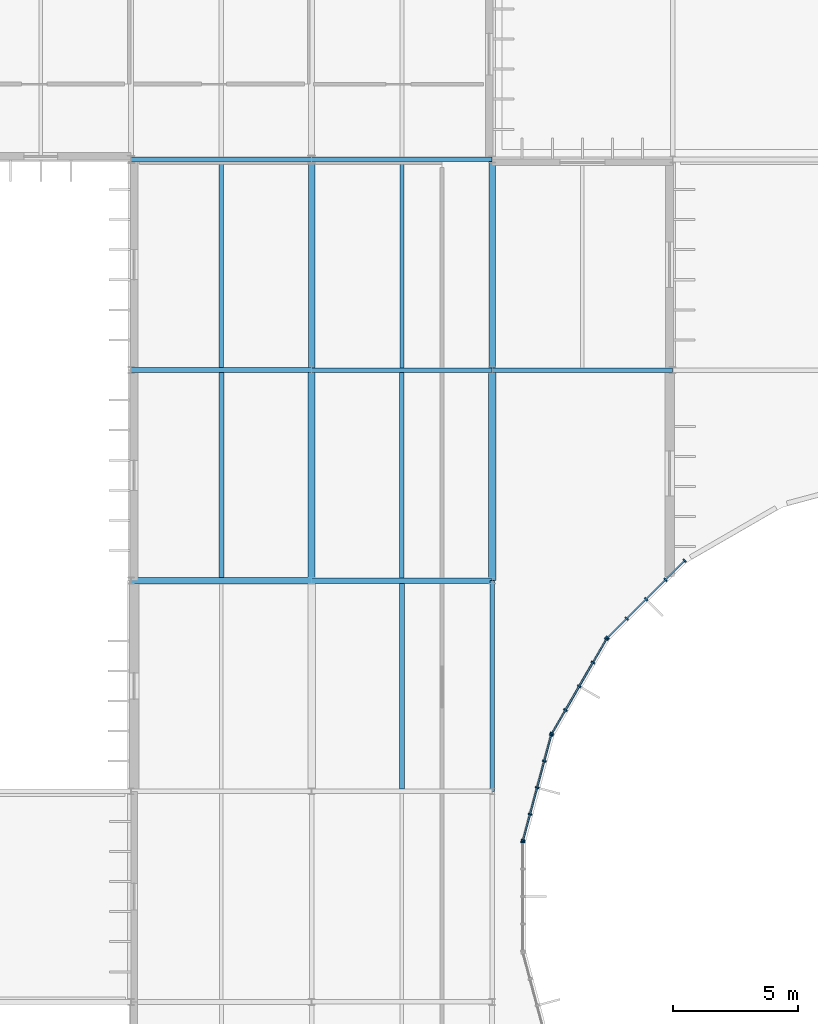
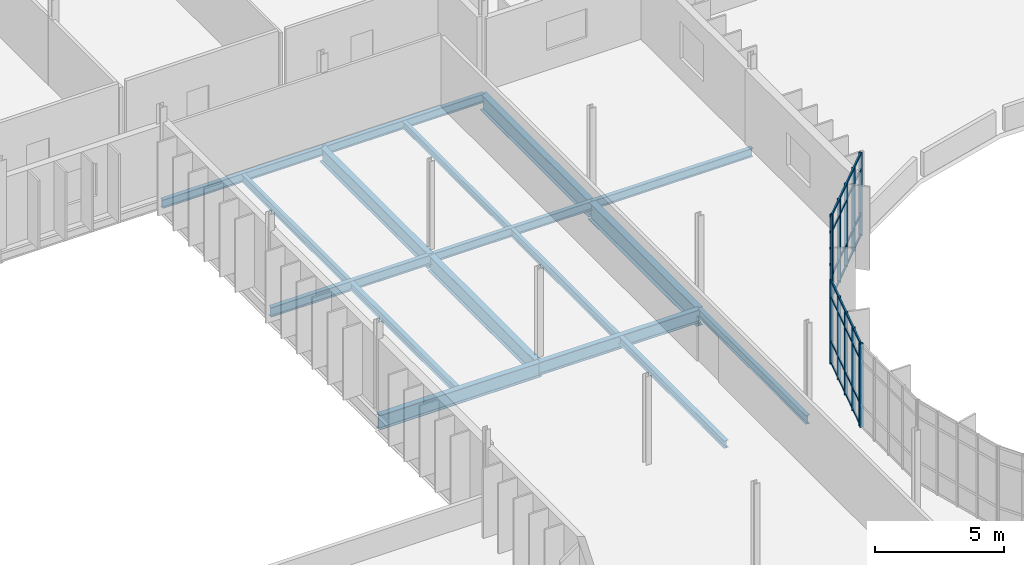
# One storey, part 27 of 61: 28 members, 17 beams, 4 elements without a shape of their own.
"""IFC4 building model written with IfcOpenShell, lengths in metres."""

from ifc_helpers import new_model, si_unit, direction, frame, origin, origin_2d, place, context, subcontext, project, spatial, rectangle, i_section, extrude, material, material_profile, profile_set, type_object, element, aggregate, save


model = new_model("IFC4")

# Units and contexts
model_context = context("Model", 3, precision=1e-05, world=origin(), true_north=direction((0.0, 1.0)))
body_context = subcontext(model_context, "Body", "Model", "MODEL_VIEW")
ifc_project = project(units=[si_unit("LENGTHUNIT", "METRE"), si_unit("AREAUNIT", "SQUARE_METRE"), si_unit("VOLUMEUNIT", "CUBIC_METRE"), si_unit("PLANEANGLEUNIT", "RADIAN"), si_unit("MASSUNIT", "GRAM", prefix="KILO")], contexts=[model_context])

# Site, building, storey
site_placement = place(None, origin())
site = spatial("IfcSite", under=ifc_project, at=site_placement, CompositionType="ELEMENT")
building_placement = place(site_placement, origin())
building = spatial("IfcBuilding", under=site, at=building_placement, Name="Qelthora Terrace Specialist Clinic", CompositionType="ELEMENT")
storey_placement = place(building_placement, frame((0.0, 0.0, 13.199951171875)))
storey = spatial("IfcBuildingStorey", under=building, at=storey_placement, Name="L03", CompositionType="ELEMENT", Elevation=13.199951171875)

# Beams
ifc_material_1 = material(Name="Steel S355", Category="steel")
ifc_material_profile_1 = material_profile(ifc_material_1, i_section(OverallWidth=0.178955078125, OverallDepth=0.409912109375, WebThickness=0.0087890625, FlangeThickness=0.014404296875, FilletRadius=0.011962890625, at=origin_2d()), Name="W410X67")
ifc_profile_set_1 = profile_set([ifc_material_profile_1], Name="Steel S355")
beam_type_1 = type_object("IfcBeamType", Name="BM-W410X67", PredefinedType="BEAM", material=ifc_profile_set_1)
for number, where, z_axis, x_axis, name in (
    (1, (108.0, 84.0, -0.454833984375), (1.0, 0.0, 0.0), (0.0, 1.0, 0.0), "Girder BMX-L03-0976"),
    (2, (93.60009765625, 92.39990234375, -0.454833984375), (1.0, 0.0, 0.0), (0.0, 1.0, 0.0), "Girder BMX-L03-0990"),
):
    element("IfcBeam", number, at=place(storey_placement, frame(where, z_axis=z_axis, x_axis=x_axis)), inside=storey, type_object=beam_type_1, Name=name, PredefinedType="BEAM", context=body_context, shape_type="SweptSolid", body=[
        extrude(i_section(OverallWidth=0.178955078125, OverallDepth=0.409912109375, WebThickness=0.0087890625, FlangeThickness=0.014404296875, FilletRadius=0.011962890625, at=origin_2d()), origin(), (0.0, 0.0, 1.0), 7.199951171875),
    ])
beam_1_placement = place(storey_placement, frame((108.0, 67.199951171875, -0.454833984375), z_axis=(0.0, 1.0, 0.0), x_axis=(-1.0, 0.0, 0.0)))
element("IfcBeam", 3, at=beam_1_placement, inside=storey, type_object=beam_type_1, Name="Girder BMY-L03-1100", PredefinedType="BEAM", context=body_context, shape_type="SweptSolid", body=[
    extrude(i_section(OverallWidth=0.178955078125, OverallDepth=0.409912109375, WebThickness=0.0087890625, FlangeThickness=0.014404296875, FilletRadius=0.011962890625, at=origin_2d()), origin(), (0.0, 0.0, 1.0), 8.400146484375),
])
ifc_material_profile_2 = material_profile(ifc_material_1, i_section(OverallWidth=0.179931640625, OverallDepth=0.4130859375, WebThickness=0.009765625, FlangeThickness=0.01611328125, FilletRadius=0.011962890625, at=origin_2d()), Name="W410X75")
ifc_profile_set_2 = profile_set([ifc_material_profile_2], Name="Steel S355")
beam_type_2 = type_object("IfcBeamType", Name="BM-W410X75", PredefinedType="BEAM", material=ifc_profile_set_2)
for number, where, z_axis, x_axis, name in (
    (4, (100.800048828125, 84.0, -0.45654296875), (1.0, 0.0, 0.0), (0.0, 1.0, 0.0), "Girder BMX-L03-0975"),
    (5, (100.800048828125, 92.39990234375, -0.45654296875), (1.0, 0.0, 0.0), (0.0, 1.0, 0.0), "Girder BMX-L03-0991"),
):
    element("IfcBeam", number, at=place(storey_placement, frame(where, z_axis=z_axis, x_axis=x_axis)), inside=storey, type_object=beam_type_2, Name=name, PredefinedType="BEAM", context=body_context, shape_type="SweptSolid", body=[
        extrude(i_section(OverallWidth=0.179931640625, OverallDepth=0.4130859375, WebThickness=0.009765625, FlangeThickness=0.01611328125, FilletRadius=0.011962890625, at=origin_2d()), origin(), (0.0, 0.0, 1.0), 7.199951171875),
    ])
ifc_material_profile_3 = material_profile(ifc_material_1, i_section(OverallWidth=0.19091796875, OverallDepth=0.4599609375, WebThickness=0.010009765625, FlangeThickness=0.01611328125, FilletRadius=0.012939453125, at=origin_2d()), Name="W460X82")
ifc_profile_set_3 = profile_set([ifc_material_profile_3], Name="Steel S355")
beam_type_3 = type_object("IfcBeamType", Name="BM-W460X82", PredefinedType="BEAM", material=ifc_profile_set_3)
beam_2_placement = place(storey_placement, frame((93.60009765625, 84.0, -0.47998046875), z_axis=(1.0, 0.0, 0.0), x_axis=(0.0, 1.0, 0.0)))
element("IfcBeam", 6, at=beam_2_placement, inside=storey, type_object=beam_type_3, Name="Girder BMX-L03-0974", PredefinedType="BEAM", context=body_context, shape_type="SweptSolid", body=[
    extrude(i_section(OverallWidth=0.19091796875, OverallDepth=0.4599609375, WebThickness=0.010009765625, FlangeThickness=0.01611328125, FilletRadius=0.012939453125, at=origin_2d()), origin(), (0.0, 0.0, 1.0), 7.199951171875),
])
ifc_material_profile_4 = material_profile(ifc_material_1, i_section(OverallWidth=0.22998046875, OverallDepth=0.616943359375, WebThickness=0.01318359375, FlangeThickness=0.022216796875, FilletRadius=0.01611328125, at=origin_2d()), Name="W610X140")
ifc_profile_set_4 = profile_set([ifc_material_profile_4], Name="Steel S355")
beam_type_4 = type_object("IfcBeamType", Name="BM-W610X140", PredefinedType="BEAM", material=ifc_profile_set_4)
beam_3_placement = place(storey_placement, frame((100.800048828125, 75.60009765625, -0.558349609375), z_axis=(1.0, 0.0, 0.0), x_axis=(0.0, 1.0, 0.0)))
element("IfcBeam", 7, at=beam_3_placement, inside=storey, type_object=beam_type_4, Name="Girder BMX-L03-0969", PredefinedType="BEAM", context=body_context, shape_type="SweptSolid", body=[
    extrude(i_section(OverallWidth=0.22998046875, OverallDepth=0.616943359375, WebThickness=0.01318359375, FlangeThickness=0.022216796875, FilletRadius=0.01611328125, at=origin_2d()), origin(), (0.0, 0.0, 1.0), 7.199951171875),
])
ifc_material_profile_5 = material_profile(ifc_material_1, i_section(OverallWidth=0.25390625, OverallDepth=0.68798828125, WebThickness=0.01318359375, FlangeThickness=0.02099609375, FilletRadius=0.01806640625, at=origin_2d()), Name="W690X152")
ifc_profile_set_5 = profile_set([ifc_material_profile_5], Name="Steel S355")
beam_type_5 = type_object("IfcBeamType", Name="BM-W690X152", PredefinedType="BEAM", material=ifc_profile_set_5)
beam_4_placement = place(storey_placement, frame((93.60009765625, 75.60009765625, -0.593994140625), z_axis=(1.0, 0.0, 0.0), x_axis=(0.0, 1.0, 0.0)))
element("IfcBeam", 8, at=beam_4_placement, inside=storey, type_object=beam_type_5, Name="Girder BMX-L03-0968", PredefinedType="BEAM", context=body_context, shape_type="SweptSolid", body=[
    extrude(i_section(OverallWidth=0.25390625, OverallDepth=0.68798828125, WebThickness=0.01318359375, FlangeThickness=0.02099609375, FilletRadius=0.01806640625, at=origin_2d()), origin(), (0.0, 0.0, 1.0), 7.199951171875),
])
ifc_material_profile_6 = material_profile(ifc_material_1, i_section(OverallWidth=0.256103515625, OverallDepth=0.693115234375, WebThickness=0.014404296875, FlangeThickness=0.023681640625, FilletRadius=0.01806640625, at=origin_2d()), Name="W690X170")
ifc_profile_set_6 = profile_set([ifc_material_profile_6], Name="Steel S355")
beam_type_6 = type_object("IfcBeamType", Name="BM-W690X170", PredefinedType="BEAM", material=ifc_profile_set_6)
beam_5_placement = place(storey_placement, frame((100.800048828125, 84.0, -0.596435546875), z_axis=(0.0, 1.0, 0.0), x_axis=(-1.0, 0.0, 0.0)))
element("IfcBeam", 9, at=beam_5_placement, inside=storey, type_object=beam_type_6, Name="Girder BMY-L03-1093", PredefinedType="BEAM", context=body_context, shape_type="SweptSolid", body=[
    extrude(i_section(OverallWidth=0.256103515625, OverallDepth=0.693115234375, WebThickness=0.014404296875, FlangeThickness=0.023681640625, FilletRadius=0.01806640625, at=origin_2d()), origin(), (0.0, 0.0, 1.0), 8.39990234375),
])
ifc_material_profile_7 = material_profile(ifc_material_1, i_section(OverallWidth=0.26806640625, OverallDepth=0.77001953125, WebThickness=0.015625, FlangeThickness=0.025390625, FilletRadius=0.01904296875, at=origin_2d()), Name="W760X196")
ifc_profile_set_7 = profile_set([ifc_material_profile_7], Name="Steel S355")
beam_type_7 = type_object("IfcBeamType", Name="BM-W760X196", PredefinedType="BEAM", material=ifc_profile_set_7)
for number, where, z_axis, x_axis, name in (
    (10, (100.800048828125, 75.60009765625, -0.635009765625), (0.0, 1.0, 0.0), (-1.0, 0.0, 0.0), "Girder BMY-L03-1092"),
    (11, (108.0, 84.0, -0.635009765625), (0.0, 1.0, 0.0), (-1.0, 0.0, 0.0), "Girder BMY-L03-1102"),
):
    element("IfcBeam", number, at=place(storey_placement, frame(where, z_axis=z_axis, x_axis=x_axis)), inside=storey, type_object=beam_type_7, Name=name, PredefinedType="BEAM", context=body_context, shape_type="SweptSolid", body=[
        extrude(i_section(OverallWidth=0.26806640625, OverallDepth=0.77001953125, WebThickness=0.015625, FlangeThickness=0.025390625, FilletRadius=0.01904296875, at=origin_2d()), origin(), (0.0, 0.0, 1.0), 8.39990234375),
    ])
ifc_material_profile_8 = material_profile(ifc_material_1, i_section(OverallWidth=0.2939453125, OverallDepth=0.85107421875, WebThickness=0.01611328125, FlangeThickness=0.02685546875, FilletRadius=0.02001953125, at=origin_2d()), Name="W840X226")
ifc_profile_set_8 = profile_set([ifc_material_profile_8], Name="Steel S355")
beam_type_8 = type_object("IfcBeamType", Name="BM-W840X226", PredefinedType="BEAM", material=ifc_profile_set_8)
beam_6_placement = place(storey_placement, frame((108.0, 75.60009765625, -0.675537109375), z_axis=(0.0, 1.0, 0.0), x_axis=(-1.0, 0.0, 0.0)))
element("IfcBeam", 12, at=beam_6_placement, inside=storey, type_object=beam_type_8, Name="Girder BMY-L03-1101", PredefinedType="BEAM", context=body_context, shape_type="SweptSolid", body=[
    extrude(i_section(OverallWidth=0.2939453125, OverallDepth=0.85107421875, WebThickness=0.01611328125, FlangeThickness=0.02685546875, FilletRadius=0.02001953125, at=origin_2d()), origin(), (0.0, 0.0, 1.0), 8.39990234375),
])

# Curtain wall, members
ifc_material_2 = material(Name="Aluminium anodized bronze", Category="aluminium")
curtain_wall_type = type_object("IfcCurtainWallType", Name="CW-CRTE-UPP", PredefinedType="NOTDEFINED", material=ifc_material_2)
curtain_wall_1_placement = place(storey_placement, origin())
curtain_wall_1 = element("IfcCurtainWall", 13, at=curtain_wall_1_placement, inside=storey, type_object=curtain_wall_type, Name="Curtain wall CW-CE-L03-09", PredefinedType="NOTDEFINED")
ifc_material_profile_9 = material_profile(ifc_material_2, rectangle(XDim=0.06005859375, YDim=0.14990234375, at=origin_2d()), Name="CWM60X150")
ifc_profile_set_9 = profile_set([ifc_material_profile_9], Name="Aluminium anodized bronze")
member_type_1 = type_object("IfcMemberType", Name="CWM-60X150", PredefinedType="MULLION", material=ifc_profile_set_9)
member_1_placement = place(storey_placement, frame((115.673828125, 76.399169921875, 0.0), z_axis=(0.0, 0.0, 1.0), x_axis=(-0.707106781187, -0.707106781187, 0.0)))
member_1 = element("IfcMember", 14, at=member_1_placement, type_object=member_type_1, Name="CW-CE-L03-09 mullion 1", PredefinedType="MULLION", context=body_context, shape_type="SweptSolid", body=[
    extrude(rectangle(XDim=0.06005859375, YDim=0.14990234375, at=origin_2d()), origin(), (0.0, 0.0, 1.0), 3.945068359375),
])
member_2_placement = place(storey_placement, frame((114.91259765625, 75.637939453125, 0.0), z_axis=(0.0, 0.0, 1.0), x_axis=(-0.707106781187, -0.707106781187, 0.0)))
member_2 = element("IfcMember", 15, at=member_2_placement, type_object=member_type_1, Name="CW-CE-L03-09 mullion 2", PredefinedType="MULLION", context=body_context, shape_type="SweptSolid", body=[
    extrude(rectangle(XDim=0.06005859375, YDim=0.14990234375, at=origin_2d()), origin(), (0.0, 0.0, 1.0), 3.945068359375),
])
member_3_placement = place(storey_placement, frame((114.137451171875, 74.862548828125, 0.0), z_axis=(0.0, 0.0, 1.0), x_axis=(-0.707106781187, -0.707106781187, 0.0)))
member_3 = element("IfcMember", 16, at=member_3_placement, type_object=member_type_1, Name="CW-CE-L03-09 mullion 3", PredefinedType="MULLION", context=body_context, shape_type="SweptSolid", body=[
    extrude(rectangle(XDim=0.06005859375, YDim=0.14990234375, at=origin_2d()), origin(), (0.0, 0.0, 1.0), 3.945068359375),
])
member_4_placement = place(storey_placement, frame((113.362060546875, 74.08740234375, 0.0), z_axis=(0.0, 0.0, 1.0), x_axis=(-0.707106781187, -0.707106781187, 0.0)))
member_4 = element("IfcMember", 17, at=member_4_placement, type_object=member_type_1, Name="CW-CE-L03-09 mullion 4", PredefinedType="MULLION", context=body_context, shape_type="SweptSolid", body=[
    extrude(rectangle(XDim=0.06005859375, YDim=0.14990234375, at=origin_2d()), origin(), (0.0, 0.0, 1.0), 3.945068359375),
])
member_5_placement = place(storey_placement, frame((112.600830078125, 73.326171875, 0.0), z_axis=(0.0, 0.0, 1.0), x_axis=(-0.707106781187, -0.707106781187, 0.0)))
member_5 = element("IfcMember", 18, at=member_5_placement, type_object=member_type_1, Name="CW-CE-L03-09 mullion 5", PredefinedType="MULLION", context=body_context, shape_type="SweptSolid", body=[
    extrude(rectangle(XDim=0.06005859375, YDim=0.14990234375, at=origin_2d()), origin(), (0.0, 0.0, 1.0), 3.945068359375),
])

curtain_wall_2_placement = place(storey_placement, origin())
curtain_wall_2 = element("IfcCurtainWall", 19, at=curtain_wall_2_placement, inside=storey, type_object=curtain_wall_type, Name="Curtain wall CW-CE-L03-10", PredefinedType="NOTDEFINED")
member_6_placement = place(storey_placement, frame((112.557861328125, 73.269775390625, 0.0), z_axis=(0.0, 0.0, 1.0), x_axis=(-0.500000028915, -0.86602538709, 0.0)))
member_6 = element("IfcMember", 20, at=member_6_placement, type_object=member_type_1, Name="CW-CE-L03-10 mullion 1", PredefinedType="MULLION", context=body_context, shape_type="SweptSolid", body=[
    extrude(rectangle(XDim=0.06005859375, YDim=0.14990234375, at=origin_2d()), origin(), (0.0, 0.0, 1.0), 3.945068359375),
])
member_7_placement = place(storey_placement, frame((112.01953125, 72.337646484375, 0.0), z_axis=(0.0, 0.0, 1.0), x_axis=(-0.500000028915, -0.86602538709, 0.0)))
member_7 = element("IfcMember", 21, at=member_7_placement, type_object=member_type_1, Name="CW-CE-L03-10 mullion 2", PredefinedType="MULLION", context=body_context, shape_type="SweptSolid", body=[
    extrude(rectangle(XDim=0.06005859375, YDim=0.14990234375, at=origin_2d()), origin(), (0.0, 0.0, 1.0), 3.945068359375),
])
member_8_placement = place(storey_placement, frame((111.471435546875, 71.38818359375, 0.0), z_axis=(0.0, 0.0, 1.0), x_axis=(-0.500000028915, -0.86602538709, 0.0)))
member_8 = element("IfcMember", 22, at=member_8_placement, type_object=member_type_1, Name="CW-CE-L03-10 mullion 3", PredefinedType="MULLION", context=body_context, shape_type="SweptSolid", body=[
    extrude(rectangle(XDim=0.06005859375, YDim=0.14990234375, at=origin_2d()), origin(), (0.0, 0.0, 1.0), 3.945068359375),
])
member_9_placement = place(storey_placement, frame((110.923095703125, 70.438720703125, 0.0), z_axis=(0.0, 0.0, 1.0), x_axis=(-0.500000028915, -0.86602538709, 0.0)))
member_9 = element("IfcMember", 23, at=member_9_placement, type_object=member_type_1, Name="CW-CE-L03-10 mullion 4", PredefinedType="MULLION", context=body_context, shape_type="SweptSolid", body=[
    extrude(rectangle(XDim=0.06005859375, YDim=0.14990234375, at=origin_2d()), origin(), (0.0, 0.0, 1.0), 3.945068359375),
])
member_10_placement = place(storey_placement, frame((110.385009765625, 69.50634765625, 0.0), z_axis=(0.0, 0.0, 1.0), x_axis=(-0.500000028915, -0.86602538709, 0.0)))
member_10 = element("IfcMember", 24, at=member_10_placement, type_object=member_type_1, Name="CW-CE-L03-10 mullion 5", PredefinedType="MULLION", context=body_context, shape_type="SweptSolid", body=[
    extrude(rectangle(XDim=0.06005859375, YDim=0.14990234375, at=origin_2d()), origin(), (0.0, 0.0, 1.0), 3.945068359375),
])

curtain_wall_3_placement = place(storey_placement, origin())
curtain_wall_3 = element("IfcCurtainWall", 25, at=curtain_wall_3_placement, inside=storey, type_object=curtain_wall_type, Name="Curtain wall CW-CE-L03-11", PredefinedType="NOTDEFINED")
member_11_placement = place(storey_placement, frame((110.357666015625, 69.44091796875, 0.0), z_axis=(0.0, 0.0, 1.0), x_axis=(-0.258819664824, -0.965925660235, 0.0)))
member_11 = element("IfcMember", 26, at=member_11_placement, type_object=member_type_1, Name="CW-CE-L03-11 mullion 1", PredefinedType="MULLION", context=body_context, shape_type="SweptSolid", body=[
    extrude(rectangle(XDim=0.06005859375, YDim=0.14990234375, at=origin_2d()), origin(), (0.0, 0.0, 1.0), 3.945068359375),
])
member_12_placement = place(storey_placement, frame((110.0791015625, 68.401123046875, 0.0), z_axis=(0.0, 0.0, 1.0), x_axis=(-0.258819664824, -0.965925660235, 0.0)))
member_12 = element("IfcMember", 27, at=member_12_placement, type_object=member_type_1, Name="CW-CE-L03-11 mullion 2", PredefinedType="MULLION", context=body_context, shape_type="SweptSolid", body=[
    extrude(rectangle(XDim=0.06005859375, YDim=0.14990234375, at=origin_2d()), origin(), (0.0, 0.0, 1.0), 3.945068359375),
])
member_13_placement = place(storey_placement, frame((109.79541015625, 67.342041015625, 0.0), z_axis=(0.0, 0.0, 1.0), x_axis=(-0.258819664824, -0.965925660235, 0.0)))
member_13 = element("IfcMember", 28, at=member_13_placement, type_object=member_type_1, Name="CW-CE-L03-11 mullion 3", PredefinedType="MULLION", context=body_context, shape_type="SweptSolid", body=[
    extrude(rectangle(XDim=0.06005859375, YDim=0.14990234375, at=origin_2d()), origin(), (0.0, 0.0, 1.0), 3.945068359375),
])
member_14_placement = place(storey_placement, frame((109.511474609375, 66.282958984375, 0.0), z_axis=(0.0, 0.0, 1.0), x_axis=(-0.258819664824, -0.965925660235, 0.0)))
member_14 = element("IfcMember", 29, at=member_14_placement, type_object=member_type_1, Name="CW-CE-L03-11 mullion 4", PredefinedType="MULLION", context=body_context, shape_type="SweptSolid", body=[
    extrude(rectangle(XDim=0.06005859375, YDim=0.14990234375, at=origin_2d()), origin(), (0.0, 0.0, 1.0), 3.945068359375),
])
member_15_placement = place(storey_placement, frame((109.23291015625, 65.2431640625, 0.0), z_axis=(0.0, 0.0, 1.0), x_axis=(-0.258819664824, -0.965925660235, 0.0)))
member_15 = element("IfcMember", 30, at=member_15_placement, type_object=member_type_1, Name="CW-CE-L03-11 mullion 5", PredefinedType="MULLION", context=body_context, shape_type="SweptSolid", body=[
    extrude(rectangle(XDim=0.06005859375, YDim=0.14990234375, at=origin_2d()), origin(), (0.0, 0.0, 1.0), 3.945068359375),
])

# Curtain wall, member
curtain_wall_4_placement = place(storey_placement, origin())
curtain_wall_4 = element("IfcCurtainWall", 31, at=curtain_wall_4_placement, inside=storey, type_object=curtain_wall_type, Name="Curtain wall CW-CE-L03-12", PredefinedType="NOTDEFINED")
member_16_placement = place(storey_placement, frame((109.2236328125, 65.1728515625, 0.0), z_axis=(0.0, 0.0, 1.0), x_axis=(0.0, -1.0, 0.0)))
member_16 = element("IfcMember", 32, at=member_16_placement, type_object=member_type_1, Name="CW-CE-L03-12 mullion 1", PredefinedType="MULLION", context=body_context, shape_type="SweptSolid", body=[
    extrude(rectangle(XDim=0.06005859375, YDim=0.14990234375, at=origin_2d()), origin(), (0.0, 0.0, 1.0), 3.945068359375),
])
aggregate(curtain_wall_4, [member_16])

# Member
ifc_material_profile_10 = material_profile(ifc_material_2, rectangle(XDim=0.06005859375, YDim=0.110107421875, at=origin_2d()), Name="CWT60X110")
ifc_profile_set_10 = profile_set([ifc_material_profile_10], Name="Aluminium anodized bronze")
member_type_2 = type_object("IfcMemberType", Name="CWT-60X110", PredefinedType="USERDEFINED", material=ifc_profile_set_10)
member_17_placement = place(storey_placement, frame((115.65966796875, 76.385009765625, 0.0400390625), z_axis=(-0.707106781187, -0.707106781187, 0.0), x_axis=(0.707106781187, -0.707106781187, 0.0)))
member_17 = element("IfcMember", 33, at=member_17_placement, type_object=member_type_2, Name="CW-CE-L03-09 transom 1", ObjectType="TRANSOM", PredefinedType="USERDEFINED", context=body_context, shape_type="SweptSolid", body=[
    extrude(rectangle(XDim=0.06005859375, YDim=0.110107421875, at=origin_2d()), origin(), (0.0, 0.0, 1.0), 4.305908203125),
])

member_18_placement = place(storey_placement, frame((115.65966796875, 76.385009765625, 1.050048828125), z_axis=(-0.707106781187, -0.707106781187, 0.0), x_axis=(0.707106781187, -0.707106781187, 0.0)))
member_18 = element("IfcMember", 34, at=member_18_placement, type_object=member_type_2, Name="CW-CE-L03-09 transom 2", ObjectType="TRANSOM", PredefinedType="USERDEFINED", context=body_context, shape_type="SweptSolid", body=[
    extrude(rectangle(XDim=0.06005859375, YDim=0.110107421875, at=origin_2d()), origin(), (0.0, 0.0, 1.0), 4.305908203125),
])

member_19_placement = place(storey_placement, frame((115.65966796875, 76.385009765625, 3.14501953125), z_axis=(-0.707106781187, -0.707106781187, 0.0), x_axis=(0.707106781187, -0.707106781187, 0.0)))
member_19 = element("IfcMember", 35, at=member_19_placement, type_object=member_type_2, Name="CW-CE-L03-09 transom 3", ObjectType="TRANSOM", PredefinedType="USERDEFINED", context=body_context, shape_type="SweptSolid", body=[
    extrude(rectangle(XDim=0.06005859375, YDim=0.110107421875, at=origin_2d()), origin(), (0.0, 0.0, 1.0), 4.305908203125),
])

member_20_placement = place(storey_placement, frame((115.65966796875, 76.385009765625, 3.905029296875), z_axis=(-0.707106781187, -0.707106781187, 0.0), x_axis=(0.707106781187, -0.707106781187, 0.0)))
member_20 = element("IfcMember", 36, at=member_20_placement, type_object=member_type_2, Name="CW-CE-L03-09 transom 4", ObjectType="TRANSOM", PredefinedType="USERDEFINED", context=body_context, shape_type="SweptSolid", body=[
    extrude(rectangle(XDim=0.06005859375, YDim=0.110107421875, at=origin_2d()), origin(), (0.0, 0.0, 1.0), 4.305908203125),
])

aggregate(curtain_wall_1, [member_1, member_2, member_3, member_4, member_5, member_17, member_18, member_19, member_20])

member_21_placement = place(storey_placement, frame((112.5478515625, 73.25244140625, 0.0400390625), z_axis=(-0.500005500391, -0.866022228109, 0.0), x_axis=(0.866022228109, -0.500005500391, 0.0)))
member_21 = element("IfcMember", 37, at=member_21_placement, type_object=member_type_2, Name="CW-CE-L03-10 transom 1", ObjectType="TRANSOM", PredefinedType="USERDEFINED", context=body_context, shape_type="SweptSolid", body=[
    extrude(rectangle(XDim=0.06005859375, YDim=0.110107421875, at=origin_2d()), origin(), (0.0, 0.0, 1.0), 4.3056640625),
])

member_22_placement = place(storey_placement, frame((112.5478515625, 73.25244140625, 1.050048828125), z_axis=(-0.500005500391, -0.866022228109, 0.0), x_axis=(0.866022228109, -0.500005500391, 0.0)))
member_22 = element("IfcMember", 38, at=member_22_placement, type_object=member_type_2, Name="CW-CE-L03-10 transom 2", ObjectType="TRANSOM", PredefinedType="USERDEFINED", context=body_context, shape_type="SweptSolid", body=[
    extrude(rectangle(XDim=0.06005859375, YDim=0.110107421875, at=origin_2d()), origin(), (0.0, 0.0, 1.0), 4.3056640625),
])

member_23_placement = place(storey_placement, frame((112.5478515625, 73.25244140625, 3.14501953125), z_axis=(-0.500005500391, -0.866022228109, 0.0), x_axis=(0.866022228109, -0.500005500391, 0.0)))
member_23 = element("IfcMember", 39, at=member_23_placement, type_object=member_type_2, Name="CW-CE-L03-10 transom 3", ObjectType="TRANSOM", PredefinedType="USERDEFINED", context=body_context, shape_type="SweptSolid", body=[
    extrude(rectangle(XDim=0.06005859375, YDim=0.110107421875, at=origin_2d()), origin(), (0.0, 0.0, 1.0), 4.3056640625),
])

member_24_placement = place(storey_placement, frame((112.5478515625, 73.25244140625, 3.905029296875), z_axis=(-0.500005500391, -0.866022228109, 0.0), x_axis=(0.866022228109, -0.500005500391, 0.0)))
member_24 = element("IfcMember", 40, at=member_24_placement, type_object=member_type_2, Name="CW-CE-L03-10 transom 4", ObjectType="TRANSOM", PredefinedType="USERDEFINED", context=body_context, shape_type="SweptSolid", body=[
    extrude(rectangle(XDim=0.06005859375, YDim=0.110107421875, at=origin_2d()), origin(), (0.0, 0.0, 1.0), 4.3056640625),
])

aggregate(curtain_wall_2, [member_6, member_7, member_8, member_9, member_10, member_21, member_22, member_23, member_24])

member_25_placement = place(storey_placement, frame((110.3525390625, 69.42138671875, 0.0400390625), z_axis=(-0.25879182601, -0.965933119212, 0.0), x_axis=(0.965933119212, -0.25879182601, 0.0)))
member_25 = element("IfcMember", 41, at=member_25_placement, type_object=member_type_2, Name="CW-CE-L03-11 transom 1", ObjectType="TRANSOM", PredefinedType="USERDEFINED", context=body_context, shape_type="SweptSolid", body=[
    extrude(rectangle(XDim=0.06005859375, YDim=0.110107421875, at=origin_2d()), origin(), (0.0, 0.0, 1.0), 4.3056640625),
])

member_26_placement = place(storey_placement, frame((110.3525390625, 69.42138671875, 1.050048828125), z_axis=(-0.25879182601, -0.965933119212, 0.0), x_axis=(0.965933119212, -0.25879182601, 0.0)))
member_26 = element("IfcMember", 42, at=member_26_placement, type_object=member_type_2, Name="CW-CE-L03-11 transom 2", ObjectType="TRANSOM", PredefinedType="USERDEFINED", context=body_context, shape_type="SweptSolid", body=[
    extrude(rectangle(XDim=0.06005859375, YDim=0.110107421875, at=origin_2d()), origin(), (0.0, 0.0, 1.0), 4.3056640625),
])

member_27_placement = place(storey_placement, frame((110.3525390625, 69.42138671875, 3.14501953125), z_axis=(-0.25879182601, -0.965933119212, 0.0), x_axis=(0.965933119212, -0.25879182601, 0.0)))
member_27 = element("IfcMember", 43, at=member_27_placement, type_object=member_type_2, Name="CW-CE-L03-11 transom 3", ObjectType="TRANSOM", PredefinedType="USERDEFINED", context=body_context, shape_type="SweptSolid", body=[
    extrude(rectangle(XDim=0.06005859375, YDim=0.110107421875, at=origin_2d()), origin(), (0.0, 0.0, 1.0), 4.3056640625),
])

member_28_placement = place(storey_placement, frame((110.3525390625, 69.42138671875, 3.905029296875), z_axis=(-0.25879182601, -0.965933119212, 0.0), x_axis=(0.965933119212, -0.25879182601, 0.0)))
member_28 = element("IfcMember", 44, at=member_28_placement, type_object=member_type_2, Name="CW-CE-L03-11 transom 4", ObjectType="TRANSOM", PredefinedType="USERDEFINED", context=body_context, shape_type="SweptSolid", body=[
    extrude(rectangle(XDim=0.06005859375, YDim=0.110107421875, at=origin_2d()), origin(), (0.0, 0.0, 1.0), 4.3056640625),
])

aggregate(curtain_wall_3, [member_11, member_12, member_13, member_14, member_15, member_25, member_26, member_27, member_28])

# Beams
ifc_material_profile_11 = material_profile(ifc_material_1, i_section(OverallWidth=0.1669921875, OverallDepth=0.31689453125, WebThickness=0.007568359375, FlangeThickness=0.01318359375, FilletRadius=0.010009765625, at=origin_2d()), Name="W310X52")
ifc_profile_set_11 = profile_set([ifc_material_profile_11], Name="Steel S355")
beam_type_9 = type_object("IfcBeamType", Name="JST-W310X52", PredefinedType="JOIST", material=ifc_profile_set_11)
beam_7_placement = place(storey_placement, frame((104.39990234375, 84.090087890625, -0.408447265625), z_axis=(0.0, 1.0, 0.0), x_axis=(-1.0, 0.0, 0.0)))
element("IfcBeam", 45, at=beam_7_placement, inside=storey, type_object=beam_type_9, Name="Composite floor joist JST-L03-0255", PredefinedType="JOIST", context=body_context, shape_type="SweptSolid", body=[
    extrude(i_section(OverallWidth=0.1669921875, OverallDepth=0.31689453125, WebThickness=0.007568359375, FlangeThickness=0.01318359375, FilletRadius=0.010009765625, at=origin_2d()), origin(), (0.0, 0.0, 1.0), 8.219970703125),
])
ifc_material_profile_12 = material_profile(ifc_material_1, i_section(OverallWidth=0.172119140625, OverallDepth=0.35791015625, WebThickness=0.0078125, FlangeThickness=0.01318359375, FilletRadius=0.010986328125, at=origin_2d()), Name="W360X57")
ifc_profile_set_12 = profile_set([ifc_material_profile_12], Name="Steel S355")
beam_type_10 = type_object("IfcBeamType", Name="JST-W360X57", PredefinedType="JOIST", material=ifc_profile_set_12)
beam_8_placement = place(storey_placement, frame((97.199951171875, 84.095458984375, -0.428955078125), z_axis=(0.0, 1.0, 0.0), x_axis=(-1.0, 0.0, 0.0)))
element("IfcBeam", 46, at=beam_8_placement, inside=storey, type_object=beam_type_10, Name="Composite floor joist JST-L03-0248", PredefinedType="JOIST", context=body_context, shape_type="SweptSolid", body=[
    extrude(i_section(OverallWidth=0.172119140625, OverallDepth=0.35791015625, WebThickness=0.0078125, FlangeThickness=0.01318359375, FilletRadius=0.010986328125, at=origin_2d()), origin(), (0.0, 0.0, 1.0), 8.215087890625),
])
beam_9_placement = place(storey_placement, frame((104.39990234375, 75.715087890625, -0.428955078125), z_axis=(0.0, 1.0, 0.0), x_axis=(-1.0, 0.0, 0.0)))
element("IfcBeam", 47, at=beam_9_placement, inside=storey, type_object=beam_type_10, Name="Composite floor joist JST-L03-0254", PredefinedType="JOIST", context=body_context, shape_type="SweptSolid", body=[
    extrude(i_section(OverallWidth=0.172119140625, OverallDepth=0.35791015625, WebThickness=0.0078125, FlangeThickness=0.01318359375, FilletRadius=0.010986328125, at=origin_2d()), origin(), (0.0, 0.0, 1.0), 8.19482421875),
])
ifc_material_profile_13 = material_profile(ifc_material_1, i_section(OverallWidth=0.202880859375, OverallDepth=0.346923828125, WebThickness=0.0078125, FlangeThickness=0.013427734375, FilletRadius=0.010986328125, at=origin_2d()), Name="W360X64")
ifc_profile_set_13 = profile_set([ifc_material_profile_13], Name="Steel S355")
beam_type_11 = type_object("IfcBeamType", Name="JST-W360X64", PredefinedType="JOIST", material=ifc_profile_set_13)
beam_10_placement = place(storey_placement, frame((97.199951171875, 75.72705078125, -0.42333984375), z_axis=(0.0, 1.0, 0.0), x_axis=(-1.0, 0.0, 0.0)))
element("IfcBeam", 48, at=beam_10_placement, inside=storey, type_object=beam_type_11, Name="Composite floor joist JST-L03-0247", PredefinedType="JOIST", context=body_context, shape_type="SweptSolid", body=[
    extrude(i_section(OverallWidth=0.202880859375, OverallDepth=0.346923828125, WebThickness=0.0078125, FlangeThickness=0.013427734375, FilletRadius=0.010986328125, at=origin_2d()), origin(), (0.0, 0.0, 1.0), 8.177490234375),
])
beam_11_placement = place(storey_placement, frame((104.39990234375, 67.29541015625, -0.42333984375), z_axis=(0.0, 1.0, 0.0), x_axis=(-1.0, 0.0, 0.0)))
element("IfcBeam", 49, at=beam_11_placement, inside=storey, type_object=beam_type_11, Name="Composite floor joist JST-L03-0253", PredefinedType="JOIST", context=body_context, shape_type="SweptSolid", body=[
    extrude(i_section(OverallWidth=0.202880859375, OverallDepth=0.346923828125, WebThickness=0.0078125, FlangeThickness=0.013427734375, FilletRadius=0.010986328125, at=origin_2d()), origin(), (0.0, 0.0, 1.0), 8.189697265625),
])

save(model, "model.ifc")
